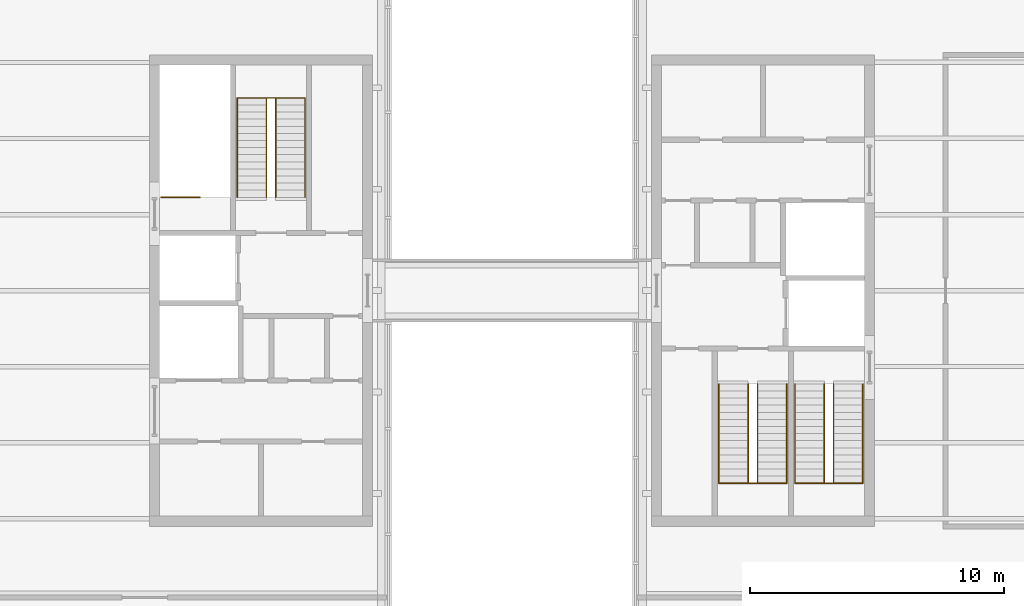
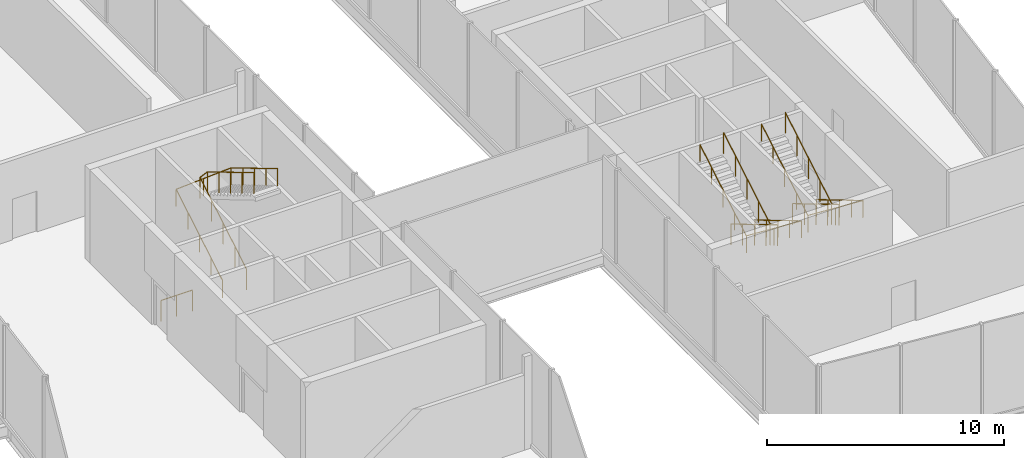
# One storey, part 12 of 12: 7 railings.
"""IFC4 building model written with IfcOpenShell, lengths in metres."""

from ifc_helpers import new_model, si_unit, direction, frame, origin, origin_2d, place, context, subcontext, project, spatial, circle, extrude, material, type_object, element, save


model = new_model("IFC4")

# Units and contexts
model_context = context("Model", 3, precision=1e-05, world=origin(), true_north=direction((0.0, 1.0)))
body_context = subcontext(model_context, "Body", "Model", "MODEL_VIEW")
ifc_project = project(units=[si_unit("LENGTHUNIT", "METRE"), si_unit("AREAUNIT", "SQUARE_METRE"), si_unit("VOLUMEUNIT", "CUBIC_METRE"), si_unit("PLANEANGLEUNIT", "RADIAN"), si_unit("MASSUNIT", "GRAM", prefix="KILO")], contexts=[model_context])

# Site, building, storey
site_placement = place(None, origin())
site = spatial("IfcSite", under=ifc_project, at=site_placement, CompositionType="ELEMENT")
building_placement = place(site_placement, origin())
building = spatial("IfcBuilding", under=site, at=building_placement, Name="Millrace Tower", CompositionType="ELEMENT")
storey_placement = place(building_placement, frame((0.0, 0.0, 347.10009765625)))
storey = spatial("IfcBuildingStorey", under=building, at=storey_placement, Name="L80", CompositionType="ELEMENT", Elevation=347.10009765625)

# Railings
ifc_material_1 = material(Name="Stainless steel ASTM A240 type 316", Category="steel")
railing_type_1 = type_object("IfcRailingType", Name="Stair guard 1100", PredefinedType="GUARDRAIL", material=ifc_material_1)
railing_1_placement = place(storey_placement, frame((-13.840087890625, 3.679931640625, 0.0)))
element("IfcRailing", 1, at=railing_1_placement, inside=storey, type_object=railing_type_1, Name="Stair guard 1 W L80", PredefinedType="GUARDRAIL", context=body_context, shape_type="SweptSolid", body=[
    extrude(circle(Radius=0.02392578125, at=origin_2d()), frame((0.0, 0.0, 1.076171875), z_axis=(1.0, 0.0, 0.0), x_axis=(0.0, 1.0, 0.0)), (0.0, 0.0, 1.0), 1.52001953125),
    extrude(circle(Radius=0.02099609375, at=origin_2d()), origin(), (0.0, 0.0, 1.0), 1.052001953125),
    extrude(circle(Radius=0.02099609375, at=origin_2d()), frame((0.760009765625, 0.0, 0.0)), (0.0, 0.0, 1.0), 1.052001953125),
    extrude(circle(Radius=0.02099609375, at=origin_2d()), frame((1.52001953125, 0.0, 0.0)), (0.0, 0.0, 1.0), 1.052001953125),
])
railing_2_placement = place(storey_placement, frame((-9.679931640625, 3.679931640625, 0.16650390625)))
element("IfcRailing", 2, at=railing_2_placement, inside=storey, type_object=railing_type_1, Name="Stair guard 2 W L80", PredefinedType="GUARDRAIL", context=body_context, shape_type="SweptSolid", body=[
    extrude(circle(Radius=0.02392578125, at=origin_2d()), frame((0.0, 0.0, 1.076171875), z_axis=(0.0, 0.859286724212, 0.511494208758), x_axis=(-1.0, 0.0, 0.0)), (0.0, 0.0, 1.0), 4.56201171875),
    extrude(circle(Radius=0.02392578125, at=origin_2d()), frame((0.0, 3.920166015625, 3.40966796875), z_axis=(0.907562518381, 0.0, 0.419916986117), x_axis=(0.0, 1.0, 0.0)), (0.0, 0.0, 1.0), 0.396484375),
    extrude(circle(Radius=0.02392578125, at=origin_2d()), frame((0.35986328125, 3.920166015625, 3.576171875), z_axis=(0.0, -0.859286724212, 0.511494208758), x_axis=(1.0, 0.0, 0.0)), (0.0, 0.0, 1.0), 4.56201171875),
    extrude(circle(Radius=0.02099609375, at=origin_2d()), origin(), (0.0, 0.0, 1.0), 1.052001953125),
    extrude(circle(Radius=0.02099609375, at=origin_2d()), frame((0.0, 0.97998046875, 0.58349609375)), (0.0, 0.0, 1.0), 1.052001953125),
    extrude(circle(Radius=0.02099609375, at=origin_2d()), frame((0.0, 1.9599609375, 1.166748046875)), (0.0, 0.0, 1.0), 1.052001953125),
    extrude(circle(Radius=0.02099609375, at=origin_2d()), frame((0.0, 2.940185546875, 1.75)), (0.0, 0.0, 1.0), 1.052001953125),
    extrude(circle(Radius=0.02099609375, at=origin_2d()), frame((0.0, 3.920166015625, 2.33349609375)), (0.0, 0.0, 1.0), 1.052001953125),
    extrude(circle(Radius=0.02099609375, at=origin_2d()), frame((0.35986328125, 3.920166015625, 2.5)), (0.0, 0.0, 1.0), 1.052001953125),
    extrude(circle(Radius=0.02099609375, at=origin_2d()), frame((0.35986328125, 2.940185546875, 3.08349609375)), (0.0, 0.0, 1.0), 1.052001953125),
    extrude(circle(Radius=0.02099609375, at=origin_2d()), frame((0.35986328125, 1.9599609375, 3.666748046875)), (0.0, 0.0, 1.0), 1.052001953125),
    extrude(circle(Radius=0.02099609375, at=origin_2d()), frame((0.35986328125, 0.97998046875, 4.25)), (0.0, 0.0, 1.0), 1.052001953125),
    extrude(circle(Radius=0.02099609375, at=origin_2d()), frame((0.35986328125, 0.0, 4.83349609375)), (0.0, 0.0, 1.0), 1.052001953125),
])
railing_3_placement = place(storey_placement, frame((12.679931640625, -3.679931640625, 0.16650390625)))
element("IfcRailing", 3, at=railing_3_placement, inside=storey, type_object=railing_type_1, Name="Stair guard 1 E L80", PredefinedType="GUARDRAIL", context=body_context, shape_type="SweptSolid", body=[
    extrude(circle(Radius=0.02392578125, at=origin_2d()), frame((0.0, 0.0, 1.076171875), z_axis=(0.0, -0.859286724212, 0.511494208758), x_axis=(1.0, 0.0, 0.0)), (0.0, 0.0, 1.0), 4.56201171875),
    extrude(circle(Radius=0.02392578125, at=origin_2d()), frame((0.0, -3.920166015625, 3.40966796875), z_axis=(-0.907562518381, 0.0, 0.419916986117), x_axis=(0.0, -1.0, 0.0)), (0.0, 0.0, 1.0), 0.396484375),
    extrude(circle(Radius=0.02392578125, at=origin_2d()), frame((-0.35986328125, -3.920166015625, 3.576171875), z_axis=(0.0, 0.859286724212, 0.511494208758), x_axis=(-1.0, 0.0, 0.0)), (0.0, 0.0, 1.0), 4.56201171875),
    extrude(circle(Radius=0.02099609375, at=origin_2d()), origin(), (0.0, 0.0, 1.0), 1.052001953125),
    extrude(circle(Radius=0.02099609375, at=origin_2d()), frame((0.0, -0.97998046875, 0.58349609375)), (0.0, 0.0, 1.0), 1.052001953125),
    extrude(circle(Radius=0.02099609375, at=origin_2d()), frame((0.0, -1.9599609375, 1.166748046875)), (0.0, 0.0, 1.0), 1.052001953125),
    extrude(circle(Radius=0.02099609375, at=origin_2d()), frame((0.0, -2.940185546875, 1.75)), (0.0, 0.0, 1.0), 1.052001953125),
    extrude(circle(Radius=0.02099609375, at=origin_2d()), frame((0.0, -3.920166015625, 2.33349609375)), (0.0, 0.0, 1.0), 1.052001953125),
    extrude(circle(Radius=0.02099609375, at=origin_2d()), frame((-0.35986328125, -3.920166015625, 2.5)), (0.0, 0.0, 1.0), 1.052001953125),
    extrude(circle(Radius=0.02099609375, at=origin_2d()), frame((-0.35986328125, -2.940185546875, 3.08349609375)), (0.0, 0.0, 1.0), 1.052001953125),
    extrude(circle(Radius=0.02099609375, at=origin_2d()), frame((-0.35986328125, -1.9599609375, 3.666748046875)), (0.0, 0.0, 1.0), 1.052001953125),
    extrude(circle(Radius=0.02099609375, at=origin_2d()), frame((-0.35986328125, -0.97998046875, 4.25)), (0.0, 0.0, 1.0), 1.052001953125),
    extrude(circle(Radius=0.02099609375, at=origin_2d()), frame((-0.35986328125, 0.0, 4.83349609375)), (0.0, 0.0, 1.0), 1.052001953125),
])
railing_4_placement = place(storey_placement, frame((9.679931640625, -3.679931640625, 0.16650390625)))
element("IfcRailing", 4, at=railing_4_placement, inside=storey, type_object=railing_type_1, Name="Stair guard 2 E L80", PredefinedType="GUARDRAIL", context=body_context, shape_type="SweptSolid", body=[
    extrude(circle(Radius=0.02392578125, at=origin_2d()), frame((0.0, 0.0, 1.076171875), z_axis=(0.0, -0.859286724212, 0.511494208758), x_axis=(1.0, 0.0, 0.0)), (0.0, 0.0, 1.0), 4.56201171875),
    extrude(circle(Radius=0.02392578125, at=origin_2d()), frame((0.0, -3.920166015625, 3.40966796875), z_axis=(-0.907562518381, 0.0, 0.419916986117), x_axis=(0.0, -1.0, 0.0)), (0.0, 0.0, 1.0), 0.396484375),
    extrude(circle(Radius=0.02392578125, at=origin_2d()), frame((-0.35986328125, -3.920166015625, 3.576171875), z_axis=(0.0, 0.859286724212, 0.511494208758), x_axis=(-1.0, 0.0, 0.0)), (0.0, 0.0, 1.0), 4.56201171875),
    extrude(circle(Radius=0.02099609375, at=origin_2d()), origin(), (0.0, 0.0, 1.0), 1.052001953125),
    extrude(circle(Radius=0.02099609375, at=origin_2d()), frame((0.0, -0.97998046875, 0.58349609375)), (0.0, 0.0, 1.0), 1.052001953125),
    extrude(circle(Radius=0.02099609375, at=origin_2d()), frame((0.0, -1.9599609375, 1.166748046875)), (0.0, 0.0, 1.0), 1.052001953125),
    extrude(circle(Radius=0.02099609375, at=origin_2d()), frame((0.0, -2.940185546875, 1.75)), (0.0, 0.0, 1.0), 1.052001953125),
    extrude(circle(Radius=0.02099609375, at=origin_2d()), frame((0.0, -3.920166015625, 2.33349609375)), (0.0, 0.0, 1.0), 1.052001953125),
    extrude(circle(Radius=0.02099609375, at=origin_2d()), frame((-0.35986328125, -3.920166015625, 2.5)), (0.0, 0.0, 1.0), 1.052001953125),
    extrude(circle(Radius=0.02099609375, at=origin_2d()), frame((-0.35986328125, -2.940185546875, 3.08349609375)), (0.0, 0.0, 1.0), 1.052001953125),
    extrude(circle(Radius=0.02099609375, at=origin_2d()), frame((-0.35986328125, -1.9599609375, 3.666748046875)), (0.0, 0.0, 1.0), 1.052001953125),
    extrude(circle(Radius=0.02099609375, at=origin_2d()), frame((-0.35986328125, -0.97998046875, 4.25)), (0.0, 0.0, 1.0), 1.052001953125),
    extrude(circle(Radius=0.02099609375, at=origin_2d()), frame((-0.35986328125, 0.0, 4.83349609375)), (0.0, 0.0, 1.0), 1.052001953125),
])
ifc_material_2 = material(Name="Stainless steel ASTM A240 type 316", Category="steel")
railing_type_2 = type_object("IfcRailingType", Name="Stair handrail 900", PredefinedType="HANDRAIL", material=ifc_material_2)
railing_5_placement = place(storey_placement, frame((-10.840087890625, 3.679931640625, 0.16650390625)))
element("IfcRailing", 5, at=railing_5_placement, inside=storey, type_object=railing_type_2, Name="Stair handrail 2 W L80", PredefinedType="HANDRAIL", context=body_context, shape_type="SweptSolid", body=[
    extrude(circle(Radius=0.02392578125, at=origin_2d()), frame((0.0, 0.0, 0.8759765625), z_axis=(0.0, 0.859286724212, 0.511494208758), x_axis=(-1.0, 0.0, 0.0)), (0.0, 0.0, 1.0), 4.56201171875),
    extrude(circle(Radius=0.02392578125, at=origin_2d()), frame((0.0, 3.920166015625, 3.20947265625), z_axis=(0.998075856648, 0.0, 0.062004712537), x_axis=(0.0, 1.0, 0.0)), (0.0, 0.0, 1.0), 2.685302734375),
    extrude(circle(Radius=0.02392578125, at=origin_2d()), frame((2.68017578125, 3.920166015625, 3.3759765625), z_axis=(0.0, -0.859286724212, 0.511494208758), x_axis=(1.0, 0.0, 0.0)), (0.0, 0.0, 1.0), 4.56201171875),
    extrude(circle(Radius=0.02099609375, at=origin_2d()), origin(), (0.0, 0.0, 1.0), 0.851806640625),
    extrude(circle(Radius=0.02099609375, at=origin_2d()), frame((0.0, 0.97998046875, 0.58349609375)), (0.0, 0.0, 1.0), 0.851806640625),
    extrude(circle(Radius=0.02099609375, at=origin_2d()), frame((0.0, 1.9599609375, 1.166748046875)), (0.0, 0.0, 1.0), 0.851806640625),
    extrude(circle(Radius=0.02099609375, at=origin_2d()), frame((0.0, 2.940185546875, 1.75)), (0.0, 0.0, 1.0), 0.851806640625),
    extrude(circle(Radius=0.02099609375, at=origin_2d()), frame((0.0, 3.920166015625, 2.33349609375)), (0.0, 0.0, 1.0), 0.851806640625),
    extrude(circle(Radius=0.02099609375, at=origin_2d()), frame((1.340087890625, 3.920166015625, 2.416748046875)), (0.0, 0.0, 1.0), 0.851806640625),
    extrude(circle(Radius=0.02099609375, at=origin_2d()), frame((2.68017578125, 3.920166015625, 2.5)), (0.0, 0.0, 1.0), 0.851806640625),
    extrude(circle(Radius=0.02099609375, at=origin_2d()), frame((2.68017578125, 2.940185546875, 3.08349609375)), (0.0, 0.0, 1.0), 0.851806640625),
    extrude(circle(Radius=0.02099609375, at=origin_2d()), frame((2.68017578125, 1.9599609375, 3.666748046875)), (0.0, 0.0, 1.0), 0.851806640625),
    extrude(circle(Radius=0.02099609375, at=origin_2d()), frame((2.68017578125, 0.97998046875, 4.25)), (0.0, 0.0, 1.0), 0.851806640625),
    extrude(circle(Radius=0.02099609375, at=origin_2d()), frame((2.68017578125, 0.0, 4.83349609375)), (0.0, 0.0, 1.0), 0.851806640625),
])
railing_6_placement = place(storey_placement, frame((13.840087890625, -3.679931640625, 0.16650390625)))
element("IfcRailing", 6, at=railing_6_placement, inside=storey, type_object=railing_type_2, Name="Stair handrail 1 E L80", PredefinedType="HANDRAIL", context=body_context, shape_type="SweptSolid", body=[
    extrude(circle(Radius=0.02392578125, at=origin_2d()), frame((0.0, 0.0, 0.8759765625), z_axis=(0.0, -0.859286724212, 0.511494208758), x_axis=(1.0, 0.0, 0.0)), (0.0, 0.0, 1.0), 4.56201171875),
    extrude(circle(Radius=0.02392578125, at=origin_2d()), frame((0.0, -3.920166015625, 3.20947265625), z_axis=(-0.998075856648, 0.0, 0.062004712537), x_axis=(0.0, -1.0, 0.0)), (0.0, 0.0, 1.0), 2.685302734375),
    extrude(circle(Radius=0.02392578125, at=origin_2d()), frame((-2.68017578125, -3.920166015625, 3.3759765625), z_axis=(0.0, 0.859286724212, 0.511494208758), x_axis=(-1.0, 0.0, 0.0)), (0.0, 0.0, 1.0), 4.56201171875),
    extrude(circle(Radius=0.02099609375, at=origin_2d()), origin(), (0.0, 0.0, 1.0), 0.851806640625),
    extrude(circle(Radius=0.02099609375, at=origin_2d()), frame((0.0, -0.97998046875, 0.58349609375)), (0.0, 0.0, 1.0), 0.851806640625),
    extrude(circle(Radius=0.02099609375, at=origin_2d()), frame((0.0, -1.9599609375, 1.166748046875)), (0.0, 0.0, 1.0), 0.851806640625),
    extrude(circle(Radius=0.02099609375, at=origin_2d()), frame((0.0, -2.940185546875, 1.75)), (0.0, 0.0, 1.0), 0.851806640625),
    extrude(circle(Radius=0.02099609375, at=origin_2d()), frame((0.0, -3.920166015625, 2.33349609375)), (0.0, 0.0, 1.0), 0.851806640625),
    extrude(circle(Radius=0.02099609375, at=origin_2d()), frame((-1.340087890625, -3.920166015625, 2.416748046875)), (0.0, 0.0, 1.0), 0.851806640625),
    extrude(circle(Radius=0.02099609375, at=origin_2d()), frame((-2.68017578125, -3.920166015625, 2.5)), (0.0, 0.0, 1.0), 0.851806640625),
    extrude(circle(Radius=0.02099609375, at=origin_2d()), frame((-2.68017578125, -2.940185546875, 3.08349609375)), (0.0, 0.0, 1.0), 0.851806640625),
    extrude(circle(Radius=0.02099609375, at=origin_2d()), frame((-2.68017578125, -1.9599609375, 3.666748046875)), (0.0, 0.0, 1.0), 0.851806640625),
    extrude(circle(Radius=0.02099609375, at=origin_2d()), frame((-2.68017578125, -0.97998046875, 4.25)), (0.0, 0.0, 1.0), 0.851806640625),
    extrude(circle(Radius=0.02099609375, at=origin_2d()), frame((-2.68017578125, 0.0, 4.83349609375)), (0.0, 0.0, 1.0), 0.851806640625),
])
railing_7_placement = place(storey_placement, frame((10.840087890625, -3.679931640625, 0.16650390625)))
element("IfcRailing", 7, at=railing_7_placement, inside=storey, type_object=railing_type_2, Name="Stair handrail 2 E L80", PredefinedType="HANDRAIL", context=body_context, shape_type="SweptSolid", body=[
    extrude(circle(Radius=0.02392578125, at=origin_2d()), frame((0.0, 0.0, 0.8759765625), z_axis=(0.0, -0.859286724212, 0.511494208758), x_axis=(1.0, 0.0, 0.0)), (0.0, 0.0, 1.0), 4.56201171875),
    extrude(circle(Radius=0.02392578125, at=origin_2d()), frame((0.0, -3.920166015625, 3.20947265625), z_axis=(-0.998075856648, 0.0, 0.062004712537), x_axis=(0.0, -1.0, 0.0)), (0.0, 0.0, 1.0), 2.685302734375),
    extrude(circle(Radius=0.02392578125, at=origin_2d()), frame((-2.68017578125, -3.920166015625, 3.3759765625), z_axis=(0.0, 0.859286724212, 0.511494208758), x_axis=(-1.0, 0.0, 0.0)), (0.0, 0.0, 1.0), 4.56201171875),
    extrude(circle(Radius=0.02099609375, at=origin_2d()), origin(), (0.0, 0.0, 1.0), 0.851806640625),
    extrude(circle(Radius=0.02099609375, at=origin_2d()), frame((0.0, -0.97998046875, 0.58349609375)), (0.0, 0.0, 1.0), 0.851806640625),
    extrude(circle(Radius=0.02099609375, at=origin_2d()), frame((0.0, -1.9599609375, 1.166748046875)), (0.0, 0.0, 1.0), 0.851806640625),
    extrude(circle(Radius=0.02099609375, at=origin_2d()), frame((0.0, -2.940185546875, 1.75)), (0.0, 0.0, 1.0), 0.851806640625),
    extrude(circle(Radius=0.02099609375, at=origin_2d()), frame((0.0, -3.920166015625, 2.33349609375)), (0.0, 0.0, 1.0), 0.851806640625),
    extrude(circle(Radius=0.02099609375, at=origin_2d()), frame((-1.340087890625, -3.920166015625, 2.416748046875)), (0.0, 0.0, 1.0), 0.851806640625),
    extrude(circle(Radius=0.02099609375, at=origin_2d()), frame((-2.68017578125, -3.920166015625, 2.5)), (0.0, 0.0, 1.0), 0.851806640625),
    extrude(circle(Radius=0.02099609375, at=origin_2d()), frame((-2.68017578125, -2.940185546875, 3.08349609375)), (0.0, 0.0, 1.0), 0.851806640625),
    extrude(circle(Radius=0.02099609375, at=origin_2d()), frame((-2.68017578125, -1.9599609375, 3.666748046875)), (0.0, 0.0, 1.0), 0.851806640625),
    extrude(circle(Radius=0.02099609375, at=origin_2d()), frame((-2.68017578125, -0.97998046875, 4.25)), (0.0, 0.0, 1.0), 0.851806640625),
    extrude(circle(Radius=0.02099609375, at=origin_2d()), frame((-2.68017578125, 0.0, 4.83349609375)), (0.0, 0.0, 1.0), 0.851806640625),
])

save(model, "model.ifc")
